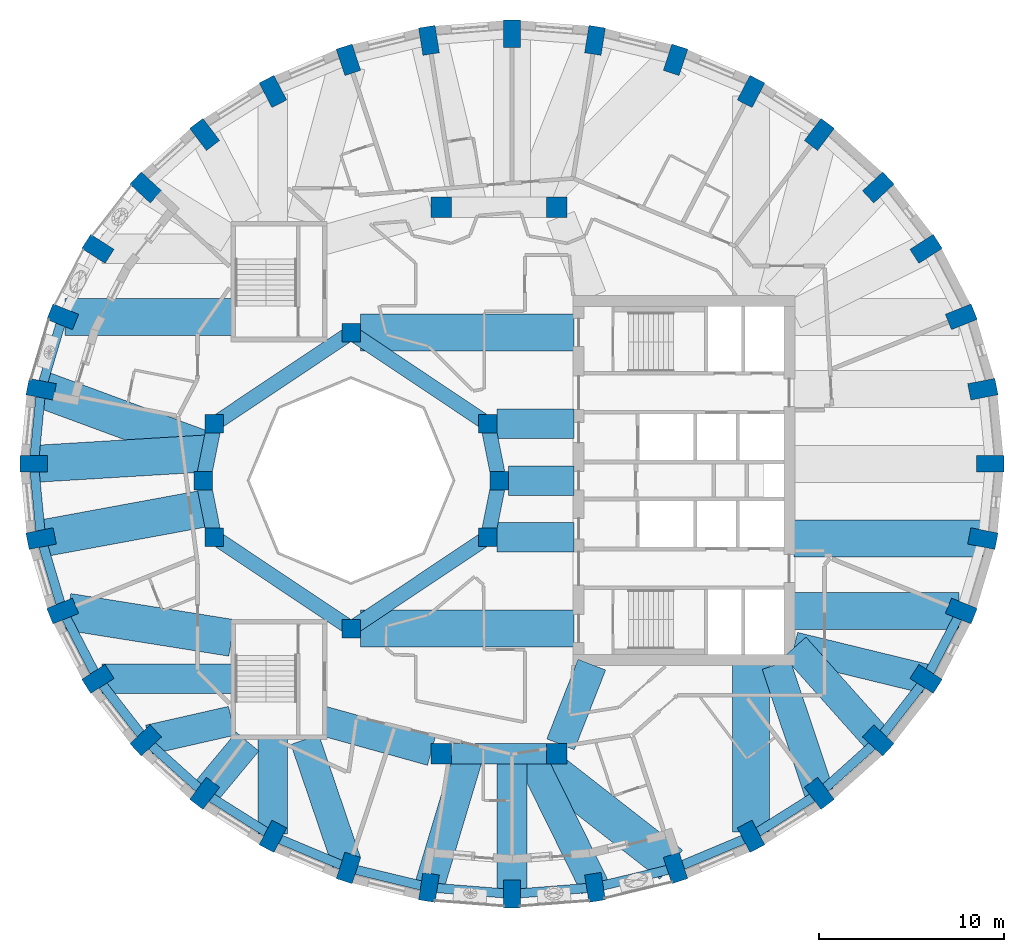
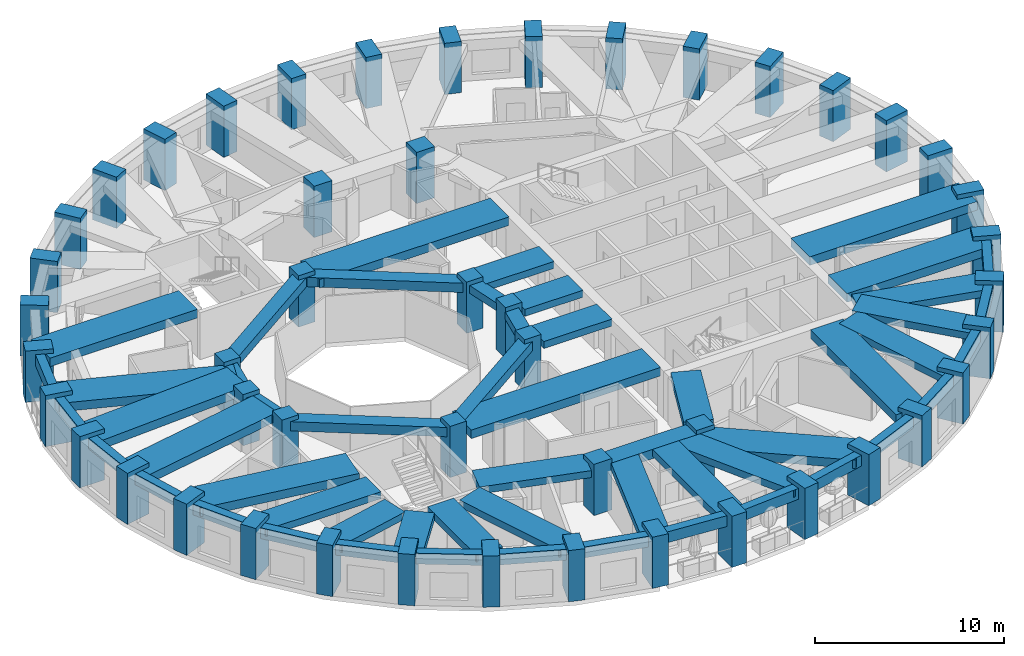
# One storey, part 1 of 12: 54 beams, 48 columns.
"""IFC4 building model written with IfcOpenShell, lengths in metres."""

from ifc_helpers import new_model, si_unit, direction, frame, origin, origin_2d, place, context, subcontext, project, spatial, rectangle, extrude, material, material_profile, profile_set, type_object, element, save


model = new_model("IFC4")

# Units and contexts
model_context = context("Model", 3, precision=1e-05, world=origin(), true_north=direction((0.0, 1.0)))
body_context = subcontext(model_context, "Body", "Model", "MODEL_VIEW")
ifc_project = project(units=[si_unit("LENGTHUNIT", "METRE"), si_unit("AREAUNIT", "SQUARE_METRE"), si_unit("VOLUMEUNIT", "CUBIC_METRE"), si_unit("PLANEANGLEUNIT", "RADIAN"), si_unit("MASSUNIT", "GRAM", prefix="KILO")], contexts=[model_context])

# Site, building, storey
site_placement = place(None, origin())
site = spatial("IfcSite", under=ifc_project, at=site_placement, CompositionType="ELEMENT")
building_placement = place(site_placement, origin())
building = spatial("IfcBuilding", under=site, at=building_placement, Name="Taillehof Tower", CompositionType="ELEMENT")
storey_placement = place(building_placement, frame((0.0, 0.0, 202.39990234375)))
storey = spatial("IfcBuildingStorey", under=building, at=storey_placement, Name="L57", CompositionType="ELEMENT", Elevation=202.39990234375)

# Columns
ifc_material_1 = material(Name="Concrete C50/60", Category="concrete")
ifc_material_profile_1 = material_profile(ifc_material_1, rectangle(XDim=1.0, YDim=1.0, at=origin_2d()), Name="RC 1000x1000")
ifc_profile_set_1 = profile_set([ifc_material_profile_1], Name="Concrete C50/60")
column_type_1 = type_object("IfcColumnType", Name="Atrium ring column C50/60 1000x1000", PredefinedType="COLUMN", material=ifc_profile_set_1)
for number, where, z_axis, x_axis, name in (
    (1, (0.0, 0.0, 0.0), (0.0, 0.0, 1.0), (1.0, 0.0, 0.0), "Column AC01"),
    (2, (-0.60888671875, 3.0615234375, 0.0), (0.0, 0.0, 1.0), (1.0, 0.0, 0.0), "Column AC02"),
    (3, (-8.0, 8.0, 0.0), (0.0, 0.0, 1.0), (1.0, 0.0, 0.0), "Column AC05"),
    (4, (-15.39111328125, 3.0615234375, 0.0), (0.0, 0.0, 1.0), (1.0, 0.0, 0.0), "Column AC08"),
    (5, (-16.0, 0.0, 0.0), (0.0, 0.0, 1.0), (1.0, 0.0, 0.0), "Column AC09"),
    (6, (-15.39111328125, -3.0615234375, 0.0), (0.0, 0.0, 1.0), (1.0, 0.0, 0.0), "Column AC10"),
    (7, (-8.0, -8.0, 0.0), (0.0, 0.0, 1.0), (1.0, 0.0, 0.0), "Column AC13"),
    (8, (-0.60888671875, -3.0615234375, 0.0), (0.0, 0.0, 1.0), (1.0, 0.0, 0.0), "Column AC16"),
):
    element("IfcColumn", number, at=place(storey_placement, frame(where, z_axis=z_axis, x_axis=x_axis)), inside=storey, type_object=column_type_1, Name=name, PredefinedType="COLUMN", context=body_context, shape_type="SweptSolid", body=[
        extrude(rectangle(XDim=1.0, YDim=1.0, at=origin_2d()), origin(), (0.0, 0.0, 1.0), 3.300048828125),
    ])
ifc_material_2 = material(Name="Concrete C50/60", Category="concrete")
ifc_material_profile_2 = material_profile(ifc_material_2, rectangle(XDim=1.10009765625, YDim=1.10009765625, at=origin_2d()), Name="RC 1100x1100")
ifc_profile_set_2 = profile_set([ifc_material_profile_2], Name="Concrete C50/60")
column_type_2 = type_object("IfcColumnType", Name="Mid-ring column C50/60 1100x1100", PredefinedType="COLUMN", material=ifc_profile_set_2)
for number, where, z_axis, x_axis, name in (
    (9, (3.125732421875, 14.772216796875, 0.0), (0.0, 0.0, 1.0), (1.0, 0.0, 0.0), "Column MC05"),
    (10, (-3.125732421875, 14.772216796875, 0.0), (0.0, 0.0, 1.0), (1.0, 0.0, 0.0), "Column MC06"),
    (11, (-3.125732421875, -14.772216796875, 0.0), (0.0, 0.0, 1.0), (1.0, 0.0, 0.0), "Column MC14"),
    (12, (3.125732421875, -14.772216796875, 0.0), (0.0, 0.0, 1.0), (1.0, 0.0, 0.0), "Column MC15"),
):
    element("IfcColumn", number, at=place(storey_placement, frame(where, z_axis=z_axis, x_axis=x_axis)), inside=storey, type_object=column_type_2, Name=name, PredefinedType="COLUMN", context=body_context, shape_type="SweptSolid", body=[
        extrude(rectangle(XDim=1.10009765625, YDim=1.10009765625, at=origin_2d()), origin(), (0.0, 0.0, 1.0), 3.300048828125),
    ])
ifc_material_3 = material(Name="Concrete C60/75", Category="concrete")
ifc_material_profile_3 = material_profile(ifc_material_3, rectangle(XDim=1.5, YDim=0.89990234375, at=origin_2d()), Name="RC 1500x900")
ifc_profile_set_3 = profile_set([ifc_material_profile_3], Name="Concrete C60/75")
column_type_3 = type_object("IfcColumnType", Name="Ring column C60/75 1500x900", PredefinedType="COLUMN", material=ifc_profile_set_3)
for number, where, z_axis, x_axis, name in (
    (13, (26.550048828125, 0.89990234375, 0.0), (0.0, 0.0, 1.0), (1.0, 0.0, 0.0), "Ring column RC01"),
    (14, (26.1572265625, 4.937255859375, 0.0), (0.0, 0.0, 1.0), (0.981433894538, 0.191800705555, 0.0), "Ring column RC02"),
    (15, (24.990966796875, 8.85205078125, 0.0), (0.0, 0.0, 1.0), (0.927385290523, 0.374107635477, 0.0), "Ring column RC03"),
    (16, (23.086669921875, 12.52490234375, 0.0), (0.0, 0.0, 1.0), (0.84231094199, 0.538991908107, 0.0), "Ring column RC04"),
    (17, (20.502197265625, 15.8447265625, 0.0), (0.0, 0.0, 1.0), (0.732270888356, 0.681013469813, 0.0), "Ring column RC05"),
    (18, (17.316162109375, 18.71044921875, 0.0), (0.0, 0.0, 1.0), (0.60360770772, 0.797281465469, 0.0), "Ring column RC06"),
    (19, (13.625, 21.03515625, 0.0), (0.0, 0.0, 1.0), (0.461993199576, 0.886883466722, 0.0), "Ring column RC07"),
    (20, (9.541259765625, 22.747802734375, 0.0), (0.0, 0.0, 1.0), (0.312001306843, 0.950081672557, 0.0), "Ring column RC08"),
    (21, (5.188720703125, 23.796875, 0.0), (0.0, 0.0, 1.0), (0.157116034607, 0.987580149491, 0.0), "Ring column RC09"),
    (22, (0.699951171875, 24.14990234375, 0.0), (0.0, 0.0, 1.0), (0.0, 1.0, 0.0), "Ring column RC10"),
    (23, (-3.788818359375, 23.796875, 0.0), (0.0, 0.0, 1.0), (-0.157116034607, 0.987580149491, 0.0), "Ring column RC11"),
    (24, (-8.14111328125, 22.747802734375, 0.0), (0.0, 0.0, 1.0), (-0.312001306843, 0.950081672557, 0.0), "Ring column RC12"),
    (25, (-12.22509765625, 21.03515625, 0.0), (0.0, 0.0, 1.0), (-0.461993199576, 0.886883466722, 0.0), "Ring column RC13"),
    (26, (-15.916015625, 18.71044921875, 0.0), (0.0, 0.0, 1.0), (-0.60360770772, 0.797281465469, 0.0), "Ring column RC14"),
    (27, (-19.102294921875, 15.8447265625, 0.0), (0.0, 0.0, 1.0), (-0.732270888356, 0.681013469813, 0.0), "Ring column RC15"),
    (28, (-21.686767578125, 12.52490234375, 0.0), (0.0, 0.0, 1.0), (-0.84231094199, 0.538991908107, 0.0), "Ring column RC16"),
    (29, (-23.591064453125, 8.85205078125, 0.0), (0.0, 0.0, 1.0), (-0.927385290523, 0.374107635477, 0.0), "Ring column RC17"),
    (30, (-24.75732421875, 4.937255859375, 0.0), (0.0, 0.0, 1.0), (-0.981433894538, 0.191800705555, 0.0), "Ring column RC18"),
    (31, (-25.14990234375, 0.89990234375, 0.0), (0.0, 0.0, 1.0), (-1.0, 0.0, 0.0), "Ring column RC19"),
    (32, (-24.75732421875, -3.13720703125, 0.0), (0.0, 0.0, 1.0), (-0.981433894538, -0.191800705555, 0.0), "Ring column RC20"),
    (33, (-23.591064453125, -7.052001953125, 0.0), (0.0, 0.0, 1.0), (-0.927385290523, -0.374107635477, 0.0), "Ring column RC21"),
    (34, (-21.686767578125, -10.72509765625, 0.0), (0.0, 0.0, 1.0), (-0.84231094199, -0.538991908107, 0.0), "Ring column RC22"),
    (35, (-19.102294921875, -14.044921875, 0.0), (0.0, 0.0, 1.0), (-0.732270888356, -0.681013469813, 0.0), "Ring column RC23"),
    (36, (-15.916015625, -16.91064453125, 0.0), (0.0, 0.0, 1.0), (-0.60360770772, -0.797281465469, 0.0), "Ring column RC24"),
    (37, (-12.22509765625, -19.235107421875, 0.0), (0.0, 0.0, 1.0), (-0.461993199576, -0.886883466722, 0.0), "Ring column RC25"),
    (38, (-8.14111328125, -20.94775390625, 0.0), (0.0, 0.0, 1.0), (-0.312001306843, -0.950081672557, 0.0), "Ring column RC26"),
    (39, (-3.788818359375, -21.996826171875, 0.0), (0.0, 0.0, 1.0), (-0.157116034607, -0.987580149491, 0.0), "Ring column RC27"),
    (40, (0.699951171875, -22.35009765625, 0.0), (0.0, 0.0, 1.0), (0.0, -1.0, 0.0), "Ring column RC28"),
    (41, (5.188720703125, -21.996826171875, 0.0), (0.0, 0.0, 1.0), (0.157116034607, -0.987580149491, 0.0), "Ring column RC29"),
    (42, (9.541259765625, -20.94775390625, 0.0), (0.0, 0.0, 1.0), (0.312001306843, -0.950081672557, 0.0), "Ring column RC30"),
    (43, (13.625, -19.235107421875, 0.0), (0.0, 0.0, 1.0), (0.461993199576, -0.886883466722, 0.0), "Ring column RC31"),
    (44, (17.316162109375, -16.91064453125, 0.0), (0.0, 0.0, 1.0), (0.60360770772, -0.797281465469, 0.0), "Ring column RC32"),
    (45, (20.502197265625, -14.044921875, 0.0), (0.0, 0.0, 1.0), (0.732270888356, -0.681013469813, 0.0), "Ring column RC33"),
    (46, (23.086669921875, -10.72509765625, 0.0), (0.0, 0.0, 1.0), (0.84231094199, -0.538991908107, 0.0), "Ring column RC34"),
    (47, (24.990966796875, -7.052001953125, 0.0), (0.0, 0.0, 1.0), (0.927385290523, -0.374107635477, 0.0), "Ring column RC35"),
    (48, (26.1572265625, -3.13720703125, 0.0), (0.0, 0.0, 1.0), (0.981433894538, -0.191800705555, 0.0), "Ring column RC36"),
):
    element("IfcColumn", number, at=place(storey_placement, frame(where, z_axis=z_axis, x_axis=x_axis)), inside=storey, type_object=column_type_3, Name=name, PredefinedType="COLUMN", context=body_context, shape_type="SweptSolid", body=[
        extrude(rectangle(XDim=1.5, YDim=0.89990234375, at=origin_2d()), origin(), (0.0, 0.0, 1.0), 3.300048828125),
    ])

# Beams
ifc_material_4 = material(Name="Concrete C50/60", Category="concrete")
ifc_material_profile_4 = material_profile(ifc_material_4, rectangle(XDim=0.800048828125, YDim=0.5, at=origin_2d()), Name="RC 800x500")
ifc_profile_set_4 = profile_set([ifc_material_profile_4], Name="Concrete C50/60")
beam_type_1 = type_object("IfcBeamType", Name="Atrium ring beam C50/60 800x500", PredefinedType="BEAM", material=ifc_profile_set_4)
for number, where, z_axis, x_axis, name in (
    (49, (0.0, 0.0, 2.77001953125), (-0.195063155143, 0.980790683839, 0.0), (-0.980790683839, -0.195063155143, 0.0), "Atrium ring beam AB01"),
    (50, (-15.39111328125, 3.0615234375, 2.77001953125), (-0.195063155143, -0.980790683839, 0.0), (0.980790683839, -0.195063155143, 0.0), "Atrium ring beam AB04"),
    (51, (-16.0, 0.0, 2.77001953125), (0.195063155143, -0.980790683839, 0.0), (0.980790683839, 0.195063155143, 0.0), "Atrium ring beam AB05"),
    (52, (-0.60888671875, -3.0615234375, 2.77001953125), (0.195063155143, 0.980790683839, 0.0), (-0.980790683839, 0.195063155143, 0.0), "Atrium ring beam AB08"),
):
    element("IfcBeam", number, at=place(storey_placement, frame(where, z_axis=z_axis, x_axis=x_axis)), inside=storey, type_object=beam_type_1, Name=name, PredefinedType="BEAM", context=body_context, shape_type="SweptSolid", body=[
        extrude(rectangle(XDim=0.800048828125, YDim=0.5, at=origin_2d()), origin(), (0.0, 0.0, 1.0), 3.12158203125),
    ])
ifc_material_5 = material(Name="Concrete C50/60", Category="concrete")
ifc_material_profile_5 = material_profile(ifc_material_5, rectangle(XDim=0.800048828125, YDim=0.60009765625, at=origin_2d()), Name="RC 800x600")
ifc_profile_set_5 = profile_set([ifc_material_profile_5], Name="Concrete C50/60")
beam_type_2 = type_object("IfcBeamType", Name="Atrium ring beam C50/60 800x600", PredefinedType="BEAM", material=ifc_profile_set_5)
for number, where, z_axis, x_axis, name in (
    (53, (-0.60888671875, 3.0615234375, 2.72021484375), (-0.831475195687, 0.555561876804, 0.0), (-0.555561876804, -0.831475195687, 0.0), "Atrium ring beam AB02"),
    (54, (-8.0, 8.0, 2.72021484375), (-0.831475195687, -0.555561876804, 0.0), (0.555561876804, -0.831475195687, 0.0), "Atrium ring beam AB03"),
    (55, (-15.39111328125, -3.0615234375, 2.72021484375), (0.831475195687, -0.555561876804, 0.0), (0.555561876804, 0.831475195687, 0.0), "Atrium ring beam AB06"),
    (56, (-8.0, -8.0, 2.72021484375), (0.831475195687, 0.555561876804, 0.0), (-0.555561876804, 0.831475195687, 0.0), "Atrium ring beam AB07"),
):
    element("IfcBeam", number, at=place(storey_placement, frame(where, z_axis=z_axis, x_axis=x_axis)), inside=storey, type_object=beam_type_2, Name=name, PredefinedType="BEAM", context=body_context, shape_type="SweptSolid", body=[
        extrude(rectangle(XDim=0.800048828125, YDim=0.60009765625, at=origin_2d()), origin(), (0.0, 0.0, 1.0), 8.88916015625),
    ])
ifc_material_6 = material(Name="Concrete C50/60", Category="concrete")
ifc_material_profile_6 = material_profile(ifc_material_6, rectangle(XDim=1.10009765625, YDim=0.60009765625, at=origin_2d()), Name="RC 1100x600")
ifc_profile_set_6 = profile_set([ifc_material_profile_6], Name="Concrete C50/60")
beam_type_3 = type_object("IfcBeamType", Name="Mid-ring beam C50/60 1100x600", PredefinedType="BEAM", material=ifc_profile_set_6)
beam_1_placement = place(storey_placement, frame((-3.125732421875, -14.772216796875, 2.72021484375), z_axis=(1.0, 0.0, 0.0), x_axis=(0.0, 1.0, 0.0)))
element("IfcBeam", 57, at=beam_1_placement, inside=storey, type_object=beam_type_3, Name="Mid-ring beam MB02", PredefinedType="BEAM", context=body_context, shape_type="SweptSolid", body=[
    extrude(rectangle(XDim=1.10009765625, YDim=0.60009765625, at=origin_2d()), origin(), (0.0, 0.0, 1.0), 6.25146484375),
])
ifc_material_7 = material(Name="Concrete C50/60", Category="concrete")
ifc_material_profile_7 = material_profile(ifc_material_7, rectangle(XDim=1.60009765625, YDim=0.449951171875, at=origin_2d()), Name="RC 1600x450")
ifc_profile_set_7 = profile_set([ifc_material_profile_7], Name="Concrete C50/60")
beam_type_4 = type_object("IfcBeamType", Name="Radial band beam C50/60 1600x450", PredefinedType="BEAM", material=ifc_profile_set_7)
beam_2_placement = place(storey_placement, frame((-21.47021484375, -10.72509765625, 2.795166015625), z_axis=(1.0, 0.0, 0.0), x_axis=(0.0, 1.0, 0.0)))
element("IfcBeam", 58, at=beam_2_placement, inside=storey, type_object=beam_type_4, Name="Radial band beam RB22", PredefinedType="BEAM", context=body_context, shape_type="SweptSolid", body=[
    extrude(rectangle(XDim=1.60009765625, YDim=0.449951171875, at=origin_2d()), origin(), (0.0, 0.0, 1.0), 7.020263671875),
])
beam_3_placement = place(storey_placement, frame((-18.929931640625, -14.005615234375, 2.795166015625), z_axis=(0.975193914537, 0.221352273651, 0.0), x_axis=(-0.221352273651, 0.975193914537, 0.0)))
element("IfcBeam", 59, at=beam_3_placement, inside=storey, type_object=beam_type_4, Name="Radial band beam RB23", PredefinedType="BEAM", context=body_context, shape_type="SweptSolid", body=[
    extrude(rectangle(XDim=1.60009765625, YDim=0.449951171875, at=origin_2d()), origin(), (0.0, 0.0, 1.0), 4.5927734375),
])
beam_4_placement = place(storey_placement, frame((-15.916015625, -16.91064453125, 2.795166015625), z_axis=(0.638722345868, 0.769437304066, 0.0), x_axis=(-0.769437304066, 0.638722345868, 0.0)))
element("IfcBeam", 60, at=beam_4_placement, inside=storey, type_object=beam_type_4, Name="Radial band beam RB24", PredefinedType="BEAM", context=body_context, shape_type="SweptSolid", body=[
    extrude(rectangle(XDim=1.60009765625, YDim=0.449951171875, at=origin_2d()), origin(), (0.0, 0.0, 1.0), 3.6328125),
])
beam_5_placement = place(storey_placement, frame((-12.22509765625, -19.101318359375, 2.795166015625), z_axis=(0.0, 1.0, 0.0), x_axis=(-1.0, 0.0, 0.0)))
element("IfcBeam", 61, at=beam_5_placement, inside=storey, type_object=beam_type_4, Name="Radial band beam RB25", PredefinedType="BEAM", context=body_context, shape_type="SweptSolid", body=[
    extrude(rectangle(XDim=1.60009765625, YDim=0.449951171875, at=origin_2d()), origin(), (0.0, 0.0, 1.0), 5.1513671875),
])
beam_6_placement = place(storey_placement, frame((-8.233642578125, -20.675537109375, 2.795166015625), z_axis=(-0.321475101084, 0.94691803203, 0.0), x_axis=(-0.94691803203, -0.321475101084, 0.0)))
element("IfcBeam", 62, at=beam_6_placement, inside=storey, type_object=beam_type_4, Name="Radial band beam RB26", PredefinedType="BEAM", context=body_context, shape_type="SweptSolid", body=[
    extrude(rectangle(XDim=1.60009765625, YDim=0.449951171875, at=origin_2d()), origin(), (0.0, 0.0, 1.0), 7.042236328125),
])
beam_7_placement = place(storey_placement, frame((-3.788818359375, -21.996826171875, 2.795166015625), z_axis=(0.286825122153, 0.957982958774, 0.0), x_axis=(-0.957982958774, 0.286825122153, 0.0)))
element("IfcBeam", 63, at=beam_7_placement, inside=storey, type_object=beam_type_4, Name="Radial band beam RB27", PredefinedType="BEAM", context=body_context, shape_type="SweptSolid", body=[
    extrude(rectangle(XDim=1.60009765625, YDim=0.449951171875, at=origin_2d()), origin(), (0.0, 0.0, 1.0), 7.54150390625),
])
beam_8_placement = place(storey_placement, frame((0.699951171875, -22.35009765625, 2.795166015625), z_axis=(0.0, 1.0, 0.0), x_axis=(-1.0, 0.0, 0.0)))
element("IfcBeam", 64, at=beam_8_placement, inside=storey, type_object=beam_type_4, Name="Radial band beam RB28", PredefinedType="BEAM", context=body_context, shape_type="SweptSolid", body=[
    extrude(rectangle(XDim=1.60009765625, YDim=0.449951171875, at=origin_2d()), origin(), (0.0, 0.0, 1.0), 7.577880859375),
])
beam_9_placement = place(storey_placement, frame((5.188720703125, -21.996826171875, 2.795166015625), z_axis=(-0.442309181818, 0.896862635903, 0.0), x_axis=(-0.896862635903, -0.442309181818, 0.0)))
element("IfcBeam", 65, at=beam_9_placement, inside=storey, type_object=beam_type_4, Name="Radial band beam RB29", PredefinedType="BEAM", context=body_context, shape_type="SweptSolid", body=[
    extrude(rectangle(XDim=1.60009765625, YDim=0.449951171875, at=origin_2d()), origin(), (0.0, 0.0, 1.0), 8.055419921875),
])
beam_10_placement = place(storey_placement, frame((17.314697265625, -16.906494140625, 2.795166015625), z_axis=(-0.317775276173, 0.948166058164, 0.0), x_axis=(-0.948166058164, -0.317775276173, 0.0)))
element("IfcBeam", 66, at=beam_10_placement, inside=storey, type_object=beam_type_4, Name="Radial band beam RB32", PredefinedType="BEAM", context=body_context, shape_type="SweptSolid", body=[
    extrude(rectangle(XDim=1.60009765625, YDim=0.449951171875, at=origin_2d()), origin(), (0.0, 0.0, 1.0), 7.333984375),
])
beam_11_placement = place(storey_placement, frame((20.502197265625, -14.044921875, 2.795166015625), z_axis=(-0.665845101725, 0.746090008316, 0.0), x_axis=(-0.746090008316, -0.665845101725, 0.0)))
element("IfcBeam", 67, at=beam_11_placement, inside=storey, type_object=beam_type_4, Name="Radial band beam RB33", PredefinedType="BEAM", context=body_context, shape_type="SweptSolid", body=[
    extrude(rectangle(XDim=1.60009765625, YDim=0.449951171875, at=origin_2d()), origin(), (0.0, 0.0, 1.0), 6.766357421875),
])
beam_12_placement = place(storey_placement, frame((23.07568359375, -10.722412109375, 2.795166015625), z_axis=(-0.971629977108, 0.236506210459, 0.0), x_axis=(-0.236506210459, -0.971629977108, 0.0)))
element("IfcBeam", 68, at=beam_12_placement, inside=storey, type_object=beam_type_4, Name="Radial band beam RB34", PredefinedType="BEAM", context=body_context, shape_type="SweptSolid", body=[
    extrude(rectangle(XDim=1.60009765625, YDim=0.449951171875, at=origin_2d()), origin(), (0.0, 0.0, 1.0), 7.332275390625),
])
beam_13_placement = place(storey_placement, frame((0.5, 0.0, 2.795166015625), z_axis=(1.0, 0.0, 0.0), x_axis=(0.0, 1.0, 0.0)))
element("IfcBeam", 69, at=beam_13_placement, inside=storey, type_object=beam_type_4, Name="Inner band beam IB101", PredefinedType="BEAM", context=body_context, shape_type="SweptSolid", body=[
    extrude(rectangle(XDim=1.60009765625, YDim=0.449951171875, at=origin_2d()), origin(), (0.0, 0.0, 1.0), 3.550048828125),
])
for number, where, z_axis, x_axis, name in (
    (70, (-0.10888671875, 3.0615234375, 2.795166015625), (1.0, 0.0, 0.0), (0.0, 1.0, 0.0), "Inner band beam IB102"),
    (71, (-0.10888671875, -3.0615234375, 2.795166015625), (1.0, 0.0, 0.0), (0.0, 1.0, 0.0), "Inner band beam IB116"),
):
    element("IfcBeam", number, at=place(storey_placement, frame(where, z_axis=z_axis, x_axis=x_axis)), inside=storey, type_object=beam_type_4, Name=name, PredefinedType="BEAM", context=body_context, shape_type="SweptSolid", body=[
        extrude(rectangle(XDim=1.60009765625, YDim=0.449951171875, at=origin_2d()), origin(), (0.0, 0.0, 1.0), 4.158935546875),
    ])
beam_14_placement = place(storey_placement, frame((-3.655517578125, -14.624755859375, 2.795166015625), z_axis=(-0.963459369536, 0.267854518821, 0.0), x_axis=(-0.267854518821, -0.963459369536, 0.0)))
element("IfcBeam", 72, at=beam_14_placement, inside=storey, type_object=beam_type_4, Name="Inner band beam IB214", PredefinedType="BEAM", context=body_context, shape_type="SweptSolid", body=[
    extrude(rectangle(XDim=1.60009765625, YDim=0.449951171875, at=origin_2d()), origin(), (0.0, 0.0, 1.0), 6.096923828125),
])
beam_15_placement = place(storey_placement, frame((3.32666015625, -14.26025390625, 2.795166015625), z_axis=(0.365588707223, 0.930776502255, 0.0), x_axis=(-0.930776502255, 0.365588707223, 0.0)))
element("IfcBeam", 73, at=beam_15_placement, inside=storey, type_object=beam_type_4, Name="Inner band beam IB215", PredefinedType="BEAM", context=body_context, shape_type="SweptSolid", body=[
    extrude(rectangle(XDim=1.60009765625, YDim=0.449951171875, at=origin_2d()), origin(), (0.0, 0.0, 1.0), 4.627197265625),
])
ifc_material_8 = material(Name="Concrete C50/60", Category="concrete")
ifc_material_profile_8 = material_profile(ifc_material_8, rectangle(XDim=2.0, YDim=0.550048828125, at=origin_2d()), Name="RC 2000x550")
ifc_profile_set_8 = profile_set([ifc_material_profile_8], Name="Concrete C50/60")
beam_type_5 = type_object("IfcBeamType", Name="Radial band beam C50/60 2000x550", PredefinedType="BEAM", material=ifc_profile_set_8)
beam_16_placement = place(storey_placement, frame((-23.4560546875, 8.85205078125, 2.7451171875), z_axis=(1.0, 0.0, 0.0), x_axis=(0.0, 1.0, 0.0)))
element("IfcBeam", 74, at=beam_16_placement, inside=storey, type_object=beam_type_5, Name="Radial band beam RB17", PredefinedType="BEAM", context=body_context, shape_type="SweptSolid", body=[
    extrude(rectangle(XDim=2.0, YDim=0.550048828125, at=origin_2d()), origin(), (0.0, 0.0, 1.0), 9.006103515625),
])
beam_17_placement = place(storey_placement, frame((-24.75732421875, 4.937255859375, 2.7451171875), z_axis=(0.938209870924, -0.346066811615, 0.0), x_axis=(0.346066811615, 0.938209870924, 0.0)))
element("IfcBeam", 75, at=beam_17_placement, inside=storey, type_object=beam_type_5, Name="Radial band beam RB18", PredefinedType="BEAM", context=body_context, shape_type="SweptSolid", body=[
    extrude(rectangle(XDim=2.0, YDim=0.550048828125, at=origin_2d()), origin(), (0.0, 0.0, 1.0), 9.67138671875),
])
beam_18_placement = place(storey_placement, frame((-25.14990234375, 0.89990234375, 2.7451171875), z_axis=(0.998174819199, 0.060390647592, 0.0), x_axis=(-0.060390647592, 0.998174819199, 0.0)))
element("IfcBeam", 76, at=beam_18_placement, inside=storey, type_object=beam_type_5, Name="Radial band beam RB19", PredefinedType="BEAM", context=body_context, shape_type="SweptSolid", body=[
    extrude(rectangle(XDim=2.0, YDim=0.550048828125, at=origin_2d()), origin(), (0.0, 0.0, 1.0), 9.4599609375),
])
beam_19_placement = place(storey_placement, frame((-24.75732421875, -3.13720703125, 2.7451171875), z_axis=(0.983474452744, 0.181046957445, 0.0), x_axis=(-0.181046957445, 0.983474452744, 0.0)))
element("IfcBeam", 77, at=beam_19_placement, inside=storey, type_object=beam_type_5, Name="Radial band beam RB20", PredefinedType="BEAM", context=body_context, shape_type="SweptSolid", body=[
    extrude(rectangle(XDim=2.0, YDim=0.550048828125, at=origin_2d()), origin(), (0.0, 0.0, 1.0), 9.2021484375),
])
beam_20_placement = place(storey_placement, frame((-23.3076171875, -7.09716796875, 2.7451171875), z_axis=(0.987552836313, -0.157287620272, 0.0), x_axis=(0.157287620272, 0.987552836313, 0.0)))
element("IfcBeam", 78, at=beam_20_placement, inside=storey, type_object=beam_type_5, Name="Radial band beam RB21", PredefinedType="BEAM", context=body_context, shape_type="SweptSolid", body=[
    extrude(rectangle(XDim=2.0, YDim=0.550048828125, at=origin_2d()), origin(), (0.0, 0.0, 1.0), 8.968505859375),
])
beam_21_placement = place(storey_placement, frame((9.3076171875, -20.765625, 2.7451171875), z_axis=(-0.788425359087, 0.615130435882, 0.0), x_axis=(-0.615130435882, -0.788425359087, 0.0)))
element("IfcBeam", 79, at=beam_21_placement, inside=storey, type_object=beam_type_5, Name="Radial band beam RB30", PredefinedType="BEAM", context=body_context, shape_type="SweptSolid", body=[
    extrude(rectangle(XDim=2.0, YDim=0.550048828125, at=origin_2d()), origin(), (0.0, 0.0, 1.0), 9.35595703125),
])
beam_22_placement = place(storey_placement, frame((13.625, -18.99755859375, 2.7451171875), z_axis=(0.0, 1.0, 0.0), x_axis=(-1.0, 0.0, 0.0)))
element("IfcBeam", 80, at=beam_22_placement, inside=storey, type_object=beam_type_5, Name="Radial band beam RB31", PredefinedType="BEAM", context=body_context, shape_type="SweptSolid", body=[
    extrude(rectangle(XDim=2.0, YDim=0.550048828125, at=origin_2d()), origin(), (0.0, 0.0, 1.0), 9.047607421875),
])
beam_23_placement = place(storey_placement, frame((24.856201171875, -7.052001953125, 2.7451171875), z_axis=(-1.0, 0.0, 0.0), x_axis=(0.0, -1.0, 0.0)))
element("IfcBeam", 81, at=beam_23_placement, inside=storey, type_object=beam_type_5, Name="Radial band beam RB35", PredefinedType="BEAM", context=body_context, shape_type="SweptSolid", body=[
    extrude(rectangle(XDim=2.0, YDim=0.550048828125, at=origin_2d()), origin(), (0.0, 0.0, 1.0), 8.90625),
])
beam_24_placement = place(storey_placement, frame((26.1572265625, -3.13720703125, 2.7451171875), z_axis=(-1.0, 0.0, 0.0), x_axis=(0.0, -1.0, 0.0)))
element("IfcBeam", 82, at=beam_24_placement, inside=storey, type_object=beam_type_5, Name="Radial band beam RB36", PredefinedType="BEAM", context=body_context, shape_type="SweptSolid", body=[
    extrude(rectangle(XDim=2.0, YDim=0.550048828125, at=origin_2d()), origin(), (0.0, 0.0, 1.0), 10.207275390625),
])
for number, where, z_axis, x_axis, name in (
    (83, (-7.5, 8.0, 2.7451171875), (1.0, 0.0, 0.0), (0.0, 1.0, 0.0), "Inner band beam IB105"),
    (84, (-7.5, -8.0, 2.7451171875), (1.0, 0.0, 0.0), (0.0, 1.0, 0.0), "Inner band beam IB113"),
):
    element("IfcBeam", number, at=place(storey_placement, frame(where, z_axis=z_axis, x_axis=x_axis)), inside=storey, type_object=beam_type_5, Name=name, PredefinedType="BEAM", context=body_context, shape_type="SweptSolid", body=[
        extrude(rectangle(XDim=2.0, YDim=0.550048828125, at=origin_2d()), origin(), (0.0, 0.0, 1.0), 11.550048828125),
    ])
ifc_material_9 = material(Name="Concrete C50/60", Category="concrete")
ifc_material_profile_9 = material_profile(ifc_material_9, rectangle(XDim=0.5, YDim=0.699951171875, at=origin_2d()), Name="RC 500x700")
ifc_profile_set_9 = profile_set([ifc_material_profile_9], Name="Concrete C50/60")
beam_type_6 = type_object("IfcBeamType", Name="Spandrel beam C50/60 500x700", PredefinedType="SPANDREL", material=ifc_profile_set_9)
beam_25_placement = place(storey_placement, frame((-23.591064453125, 8.85205078125, 2.670166015625), z_axis=(-0.285510458946, -0.9583755933, 0.0), x_axis=(0.9583755933, -0.285510458946, 0.0)))
element("IfcBeam", 85, at=beam_25_placement, inside=storey, type_object=beam_type_6, Name="Spandrel beam SB17", PredefinedType="SPANDREL", context=body_context, shape_type="SweptSolid", body=[
    extrude(rectangle(XDim=0.5, YDim=0.699951171875, at=origin_2d()), origin(), (0.0, 0.0, 1.0), 4.084716796875),
])
beam_26_placement = place(storey_placement, frame((-24.75732421875, 4.937255859375, 2.670166015625), z_axis=(-0.096780051712, -0.995305793006, 0.0), x_axis=(0.995305793006, -0.096780051712, 0.0)))
element("IfcBeam", 86, at=beam_26_placement, inside=storey, type_object=beam_type_6, Name="Spandrel beam SB18", PredefinedType="SPANDREL", context=body_context, shape_type="SweptSolid", body=[
    extrude(rectangle(XDim=0.5, YDim=0.699951171875, at=origin_2d()), origin(), (0.0, 0.0, 1.0), 4.056396484375),
])
beam_27_placement = place(storey_placement, frame((-25.14990234375, 0.89990234375, 2.670166015625), z_axis=(0.096785849576, -0.995305229225, 0.0), x_axis=(0.995305229225, 0.096785849576, 0.0)))
element("IfcBeam", 87, at=beam_27_placement, inside=storey, type_object=beam_type_6, Name="Spandrel beam SB19", PredefinedType="SPANDREL", context=body_context, shape_type="SweptSolid", body=[
    extrude(rectangle(XDim=0.5, YDim=0.699951171875, at=origin_2d()), origin(), (0.0, 0.0, 1.0), 4.05615234375),
])
beam_28_placement = place(storey_placement, frame((-24.75732421875, -3.13720703125, 2.670166015625), z_axis=(0.285510458946, -0.9583755933, 0.0), x_axis=(0.9583755933, 0.285510458946, 0.0)))
element("IfcBeam", 88, at=beam_28_placement, inside=storey, type_object=beam_type_6, Name="Spandrel beam SB20", PredefinedType="SPANDREL", context=body_context, shape_type="SweptSolid", body=[
    extrude(rectangle(XDim=0.5, YDim=0.699951171875, at=origin_2d()), origin(), (0.0, 0.0, 1.0), 4.084716796875),
])
beam_29_placement = place(storey_placement, frame((-23.591064453125, -7.052001953125, 2.670166015625), z_axis=(0.460265491458, -0.887781322947, 0.0), x_axis=(0.887781322947, 0.460265491458, 0.0)))
element("IfcBeam", 89, at=beam_29_placement, inside=storey, type_object=beam_type_6, Name="Spandrel beam SB21", PredefinedType="SPANDREL", context=body_context, shape_type="SweptSolid", body=[
    extrude(rectangle(XDim=0.5, YDim=0.699951171875, at=origin_2d()), origin(), (0.0, 0.0, 1.0), 4.137451171875),
])
beam_30_placement = place(storey_placement, frame((-21.686767578125, -10.72509765625, 2.670166015625), z_axis=(0.614294081938, -0.789077170432, 0.0), x_axis=(0.789077170432, 0.614294081938, 0.0)))
element("IfcBeam", 90, at=beam_30_placement, inside=storey, type_object=beam_type_6, Name="Spandrel beam SB22", PredefinedType="SPANDREL", context=body_context, shape_type="SweptSolid", body=[
    extrude(rectangle(XDim=0.5, YDim=0.699951171875, at=origin_2d()), origin(), (0.0, 0.0, 1.0), 4.207275390625),
])
beam_31_placement = place(storey_placement, frame((-19.102294921875, -14.044921875, 2.670166015625), z_axis=(0.743517893617, -0.668716039789, 0.0), x_axis=(0.668716039789, 0.743517893617, 0.0)))
element("IfcBeam", 91, at=beam_31_placement, inside=storey, type_object=beam_type_6, Name="Spandrel beam SB23", PredefinedType="SPANDREL", context=body_context, shape_type="SweptSolid", body=[
    extrude(rectangle(XDim=0.5, YDim=0.699951171875, at=origin_2d()), origin(), (0.0, 0.0, 1.0), 4.285400390625),
])
beam_32_placement = place(storey_placement, frame((-15.916015625, -16.91064453125, 2.670166015625), z_axis=(0.846175819179, -0.532903821564, 0.0), x_axis=(0.532903821564, 0.846175819179, 0.0)))
element("IfcBeam", 92, at=beam_32_placement, inside=storey, type_object=beam_type_6, Name="Spandrel beam SB24", PredefinedType="SPANDREL", context=body_context, shape_type="SweptSolid", body=[
    extrude(rectangle(XDim=0.5, YDim=0.699951171875, at=origin_2d()), origin(), (0.0, 0.0, 1.0), 4.36181640625),
])
beam_33_placement = place(storey_placement, frame((-12.22509765625, -19.235107421875, 2.670166015625), z_axis=(0.922193747603, -0.386728188632, 0.0), x_axis=(0.386728188632, 0.922193747603, 0.0)))
element("IfcBeam", 93, at=beam_33_placement, inside=storey, type_object=beam_type_6, Name="Spandrel beam SB25", PredefinedType="SPANDREL", context=body_context, shape_type="SweptSolid", body=[
    extrude(rectangle(XDim=0.5, YDim=0.699951171875, at=origin_2d()), origin(), (0.0, 0.0, 1.0), 4.428466796875),
])
beam_34_placement = place(storey_placement, frame((-8.14111328125, -20.94775390625, 2.670166015625), z_axis=(0.972157646478, -0.234327784087, 0.0), x_axis=(0.234327784087, 0.972157646478, 0.0)))
element("IfcBeam", 94, at=beam_34_placement, inside=storey, type_object=beam_type_6, Name="Spandrel beam SB26", PredefinedType="SPANDREL", context=body_context, shape_type="SweptSolid", body=[
    extrude(rectangle(XDim=0.5, YDim=0.699951171875, at=origin_2d()), origin(), (0.0, 0.0, 1.0), 4.47705078125),
])
for number, where, z_axis, x_axis, name in (
    (95, (-3.788818359375, -21.996826171875, 2.670166015625), (0.996917374369, -0.078458579393, 0.0), (0.078458579393, 0.996917374369, 0.0), "Spandrel beam SB27"),
    (96, (0.699951171875, -22.35009765625, 2.670166015625), (0.996917374369, 0.078458579393, 0.0), (-0.078458579393, 0.996917374369, 0.0), "Spandrel beam SB28"),
):
    element("IfcBeam", number, at=place(storey_placement, frame(where, z_axis=z_axis, x_axis=x_axis)), inside=storey, type_object=beam_type_6, Name=name, PredefinedType="SPANDREL", context=body_context, shape_type="SweptSolid", body=[
        extrude(rectangle(XDim=0.5, YDim=0.699951171875, at=origin_2d()), origin(), (0.0, 0.0, 1.0), 4.502685546875),
    ])
beam_35_placement = place(storey_placement, frame((5.188720703125, -21.996826171875, 2.670166015625), z_axis=(0.972160640613, 0.234315361943, 0.0), x_axis=(-0.234315361943, 0.972160640613, 0.0)))
element("IfcBeam", 97, at=beam_35_placement, inside=storey, type_object=beam_type_6, Name="Spandrel beam SB29", PredefinedType="SPANDREL", context=body_context, shape_type="SweptSolid", body=[
    extrude(rectangle(XDim=0.5, YDim=0.699951171875, at=origin_2d()), origin(), (0.0, 0.0, 1.0), 4.477294921875),
])
beam_36_placement = place(storey_placement, frame((9.541259765625, -20.94775390625, 2.670166015625), z_axis=(0.92218550199, 0.386747850569, 0.0), x_axis=(-0.386747850569, 0.92218550199, 0.0)))
element("IfcBeam", 98, at=beam_36_placement, inside=storey, type_object=beam_type_6, Name="Spandrel beam SB30", PredefinedType="SPANDREL", context=body_context, shape_type="SweptSolid", body=[
    extrude(rectangle(XDim=0.5, YDim=0.699951171875, at=origin_2d()), origin(), (0.0, 0.0, 1.0), 4.42822265625),
])
beam_37_placement = place(storey_placement, frame((13.625, -19.235107421875, 2.670166015625), z_axis=(0.846191713174, 0.532878583314, 0.0), x_axis=(-0.532878583314, 0.846191713174, 0.0)))
element("IfcBeam", 99, at=beam_37_placement, inside=storey, type_object=beam_type_6, Name="Spandrel beam SB31", PredefinedType="SPANDREL", context=body_context, shape_type="SweptSolid", body=[
    extrude(rectangle(XDim=0.5, YDim=0.699951171875, at=origin_2d()), origin(), (0.0, 0.0, 1.0), 4.362060546875),
])
beam_38_placement = place(storey_placement, frame((17.316162109375, -16.91064453125, 2.670166015625), z_axis=(0.743492416006, 0.668744366213, 0.0), x_axis=(-0.668744366213, 0.743492416006, 0.0)))
element("IfcBeam", 100, at=beam_38_placement, inside=storey, type_object=beam_type_6, Name="Spandrel beam SB32", PredefinedType="SPANDREL", context=body_context, shape_type="SweptSolid", body=[
    extrude(rectangle(XDim=0.5, YDim=0.699951171875, at=origin_2d()), origin(), (0.0, 0.0, 1.0), 4.28515625),
])
beam_39_placement = place(storey_placement, frame((20.502197265625, -14.044921875, 2.670166015625), z_axis=(0.614294081938, 0.789077170432, 0.0), x_axis=(-0.789077170432, 0.614294081938, 0.0)))
element("IfcBeam", 101, at=beam_39_placement, inside=storey, type_object=beam_type_6, Name="Spandrel beam SB33", PredefinedType="SPANDREL", context=body_context, shape_type="SweptSolid", body=[
    extrude(rectangle(XDim=0.5, YDim=0.699951171875, at=origin_2d()), origin(), (0.0, 0.0, 1.0), 4.207275390625),
])
beam_40_placement = place(storey_placement, frame((23.086669921875, -10.72509765625, 2.670166015625), z_axis=(0.460265491458, 0.887781322947, 0.0), x_axis=(-0.887781322947, 0.460265491458, 0.0)))
element("IfcBeam", 102, at=beam_40_placement, inside=storey, type_object=beam_type_6, Name="Spandrel beam SB34", PredefinedType="SPANDREL", context=body_context, shape_type="SweptSolid", body=[
    extrude(rectangle(XDim=0.5, YDim=0.699951171875, at=origin_2d()), origin(), (0.0, 0.0, 1.0), 4.137451171875),
])

save(model, "model.ifc")
